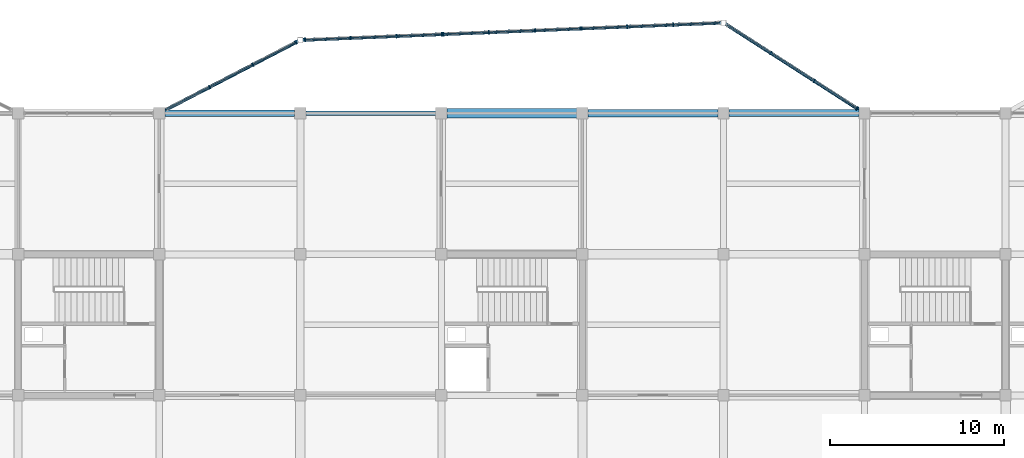
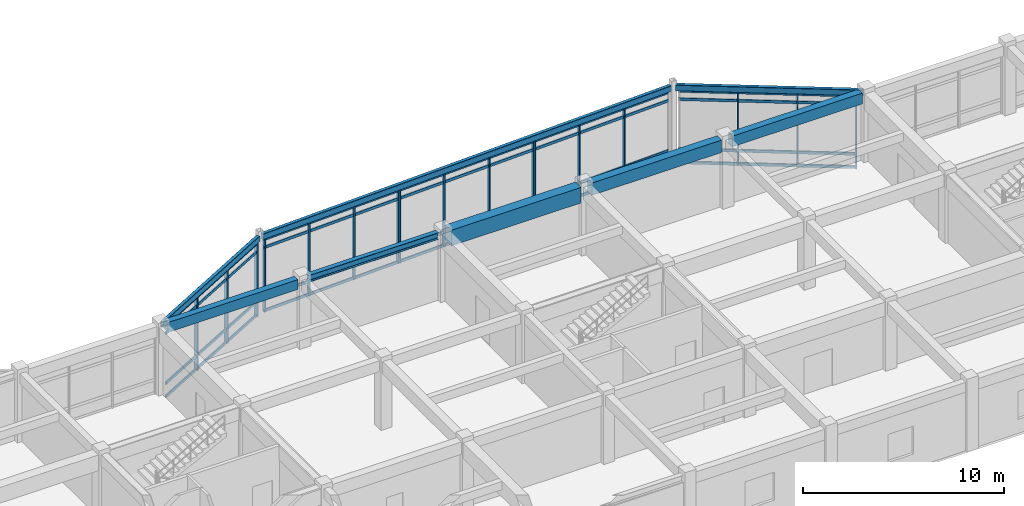
# One storey, part 36 of 70: 37 members, 8 beams, 5 elements without a shape of their own.
"""IFC4 building model written with IfcOpenShell, lengths in metres."""

from ifc_helpers import new_model, si_unit, direction, frame, origin, origin_2d, place, context, subcontext, project, spatial, rectangle, hollow_rectangle, i_section, extrude, material, layer, layer_set, material_profile, profile_set, type_object, element, aggregate, save


model = new_model("IFC4")

# Units and contexts
model_context = context("Model", 3, precision=1e-05, world=origin(), true_north=direction((0.0, 1.0)))
body_context = subcontext(model_context, "Body", "Model", "MODEL_VIEW")
ifc_project = project(units=[si_unit("LENGTHUNIT", "METRE"), si_unit("AREAUNIT", "SQUARE_METRE"), si_unit("VOLUMEUNIT", "CUBIC_METRE"), si_unit("PLANEANGLEUNIT", "RADIAN"), si_unit("MASSUNIT", "GRAM", prefix="KILO")], contexts=[model_context])

# Site, building, storey
site_placement = place(None, origin())
site = spatial("IfcSite", under=ifc_project, at=site_placement, CompositionType="ELEMENT")
building_placement = place(site_placement, origin())
building = spatial("IfcBuilding", under=site, at=building_placement, Name="Vaudrelin Polytechnic", CompositionType="ELEMENT")
storey_placement = place(building_placement, frame((0.0, 0.0, 14.110107421875)))
storey = spatial("IfcBuildingStorey", under=building, at=storey_placement, Name="L03", CompositionType="ELEMENT", Elevation=14.110107421875)

# Beams
ifc_material_1 = material(Name="Concrete 40 MPa", Category="concrete")
ifc_material_profile_1 = material_profile(ifc_material_1, rectangle(XDim=0.35009765625, YDim=0.60009765625, at=origin_2d()), Name="RC350x600")
ifc_profile_set_1 = profile_set([ifc_material_profile_1], Name="Concrete 40 MPa")
beam_type_1 = type_object("IfcBeamType", Name="BM-BM-RC3560", PredefinedType="BEAM", material=ifc_profile_set_1)
beam_1_placement = place(storey_placement, frame((65.12109375, 121.5, 3.85986328125), z_axis=(1.0, 0.0, 0.0), x_axis=(0.0, 1.0, 0.0)))
element("IfcBeam", 1, at=beam_1_placement, inside=storey, type_object=beam_type_1, Name="L03 X-beam 9-16", PredefinedType="BEAM", context=body_context, shape_type="SweptSolid", body=[
    extrude(rectangle(XDim=0.35009765625, YDim=0.60009765625, at=origin_2d()), origin(), (0.0, 0.0, 1.0), 7.4580078125),
])
ifc_material_profile_2 = material_profile(ifc_material_1, rectangle(XDim=0.449951171875, YDim=0.75, at=origin_2d()), Name="RC450x750")
ifc_profile_set_2 = profile_set([ifc_material_profile_2], Name="Concrete 40 MPa")
beam_type_2 = type_object("IfcBeamType", Name="BM-BM-RC4575", PredefinedType="BEAM", material=ifc_profile_set_2)
beam_2_placement = place(storey_placement, frame((89.4208984375, 121.5, 3.77490234375), z_axis=(1.0, 0.0, 0.0), x_axis=(0.0, 1.0, 0.0)))
element("IfcBeam", 2, at=beam_2_placement, inside=storey, type_object=beam_type_2, Name="L03 X-beam 12-16", PredefinedType="BEAM", context=body_context, shape_type="SweptSolid", body=[
    extrude(rectangle(XDim=0.449951171875, YDim=0.75, at=origin_2d()), origin(), (0.0, 0.0, 1.0), 7.4580078125),
])
ifc_material_2 = material(Name="Concrete 50 MPa", Category="concrete")
ifc_material_profile_3 = material_profile(ifc_material_2, rectangle(XDim=0.550048828125, YDim=0.949951171875, at=origin_2d()), Name="RC550x950")
ifc_profile_set_3 = profile_set([ifc_material_profile_3], Name="Concrete 50 MPa")
beam_type_3 = type_object("IfcBeamType", Name="BM-BM-RC5595", PredefinedType="BEAM", material=ifc_profile_set_3)
beam_3_placement = place(storey_placement, frame((81.321044921875, 121.5, 3.6748046875), z_axis=(1.0, 0.0, 0.0), x_axis=(0.0, 1.0, 0.0)))
element("IfcBeam", 3, at=beam_3_placement, inside=storey, type_object=beam_type_3, Name="L03 X-beam 11-16", PredefinedType="BEAM", context=body_context, shape_type="SweptSolid", body=[
    extrude(rectangle(XDim=0.550048828125, YDim=0.949951171875, at=origin_2d()), origin(), (0.0, 0.0, 1.0), 7.4580078125),
])
ifc_material_3 = material(Name="Steel CSA G40.21 350WT", Category="steel")
ifc_material_profile_4 = material_profile(ifc_material_3, i_section(OverallWidth=0.260009765625, OverallDepth=0.4150390625, WebThickness=0.010009765625, FlangeThickness=0.016845703125, FilletRadius=0.01611328125, at=origin_2d()), Name="W410x100")
ifc_profile_set_4 = profile_set([ifc_material_profile_4], Name="Steel CSA G40.21 350WT")
beam_type_4 = type_object("IfcBeamType", Name="BM-BM-W410H", PredefinedType="SPANDREL", material=ifc_profile_set_4)
beam_4_placement = place(storey_placement, frame((73.220947265625, 121.5, 3.9423828125), z_axis=(1.0, 0.0, 0.0), x_axis=(0.0, 1.0, 0.0)))
element("IfcBeam", 4, at=beam_4_placement, inside=storey, type_object=beam_type_4, Name="L03 X-beam 10-16", PredefinedType="SPANDREL", context=body_context, shape_type="SweptSolid", body=[
    extrude(i_section(OverallWidth=0.260009765625, OverallDepth=0.4150390625, WebThickness=0.010009765625, FlangeThickness=0.016845703125, FilletRadius=0.01611328125, at=origin_2d()), origin(), (0.0, 0.0, 1.0), 7.4580078125),
])
ifc_material_profile_5 = material_profile(ifc_material_3, hollow_rectangle(XDim=0.202880859375, YDim=0.35595703125, WallThickness=0.0126953125, InnerFilletRadius=0.0126953125, OuterFilletRadius=0.025390625, at=origin_2d()), Name="HSS356x203x12.7")
ifc_profile_set_5 = profile_set([ifc_material_profile_5], Name="Steel CSA G40.21 350WT")
beam_type_5 = type_object("IfcBeamType", Name="BM-SP-HSS35", PredefinedType="SPANDREL", material=ifc_profile_set_5)
beam_5_placement = place(storey_placement, frame((64.92431640625, 121.564453125, 3.98193359375), z_axis=(0.887754949257, 0.460316358682, 0.0), x_axis=(-0.460316358682, 0.887754949257, 0.0)))
element("IfcBeam", 5, at=beam_5_placement, inside=storey, type_object=beam_type_5, Name="Sculptural edge beam L03 N_OR2_B1", PredefinedType="SPANDREL", context=body_context, shape_type="SweptSolid", body=[
    extrude(hollow_rectangle(XDim=0.202880859375, YDim=0.35595703125, WallThickness=0.0126953125, InnerFilletRadius=0.0126953125, OuterFilletRadius=0.025390625, at=origin_2d()), origin(), (0.0, 0.0, 1.0), 8.843994140625),
])
beam_6_placement = place(storey_placement, frame((73.039794921875, 125.705810546875, 3.98193359375), z_axis=(0.99915467323, 0.0411088672, 0.0), x_axis=(-0.0411088672, 0.99915467323, 0.0)))
element("IfcBeam", 6, at=beam_6_placement, inside=storey, type_object=beam_type_5, Name="Sculptural edge beam L03 N_OR2_B2", PredefinedType="SPANDREL", context=body_context, shape_type="SweptSolid", body=[
    extrude(hollow_rectangle(XDim=0.202880859375, YDim=0.35595703125, WallThickness=0.0126953125, InnerFilletRadius=0.0126953125, OuterFilletRadius=0.025390625, at=origin_2d()), origin(), (0.0, 0.0, 1.0), 24.04052734375),
])
beam_7_placement = place(storey_placement, frame((97.31787109375, 126.62451171875, 3.98193359375), z_axis=(0.84150765207, -0.540245195729, 0.0), x_axis=(0.540245195729, 0.84150765207, 0.0)))
element("IfcBeam", 7, at=beam_7_placement, inside=storey, type_object=beam_type_5, Name="Sculptural edge beam L03 N_OR2_B3", PredefinedType="SPANDREL", context=body_context, shape_type="SweptSolid", body=[
    extrude(hollow_rectangle(XDim=0.202880859375, YDim=0.35595703125, WallThickness=0.0126953125, InnerFilletRadius=0.0126953125, OuterFilletRadius=0.025390625, at=origin_2d()), origin(), (0.0, 0.0, 1.0), 9.345458984375),
])
ifc_material_profile_6 = material_profile(ifc_material_1, rectangle(XDim=0.39990234375, YDim=0.64990234375, at=origin_2d()), Name="RC400x650")
ifc_profile_set_6 = profile_set([ifc_material_profile_6], Name="Concrete 40 MPa")
beam_type_6 = type_object("IfcBeamType", Name="BM-SP-RC4065", PredefinedType="SPANDREL", material=ifc_profile_set_6)
beam_8_placement = place(storey_placement, frame((97.52099609375, 121.5, 3.824951171875), z_axis=(1.0, 0.0, 0.0), x_axis=(0.0, 1.0, 0.0)))
element("IfcBeam", 8, at=beam_8_placement, inside=storey, type_object=beam_type_6, Name="L03 X-beam 13-16", PredefinedType="SPANDREL", context=body_context, shape_type="SweptSolid", body=[
    extrude(rectangle(XDim=0.39990234375, YDim=0.64990234375, at=origin_2d()), origin(), (0.0, 0.0, 1.0), 7.4580078125),
])

# Curtain wall, members
ifc_material_4 = material(Name="Thermally broken anodised aluminium AA 6063-T6 and low-e triple glazing", Category="aluminium")
ifc_layer = layer(ifc_material_4, 0.199951171875)
ifc_layer_set = layer_set([ifc_layer], Name="Thermally broken anodised aluminium AA 6063-T6 and low-e triple glazing")
curtain_wall_type = type_object("IfcCurtainWallType", Name="CW-CW-STU", PredefinedType="USERDEFINED", material=ifc_layer_set)
curtain_wall_1_placement = place(storey_placement, origin())
curtain_wall_1 = element("IfcCurtainWall", 9, at=curtain_wall_1_placement, inside=storey, type_object=curtain_wall_type, Name="Curtain wall L03 N_OR2_1_0", ObjectType="CURTAIN WALL", PredefinedType="USERDEFINED")
ifc_material_5 = material(Name="Anodised aluminium AA 6063-T6", Category="aluminium")
ifc_material_profile_7 = material_profile(ifc_material_5, rectangle(XDim=0.074951171875, YDim=0.219970703125, at=origin_2d()), Name="CWM-75x220")
ifc_profile_set_7 = profile_set([ifc_material_profile_7], Name="Anodised aluminium AA 6063-T6")
member_type_1 = type_object("IfcMemberType", Name="MEM-CWM-220", PredefinedType="MULLION", material=ifc_profile_set_7)
member_1_placement = place(storey_placement, frame((67.69091796875, 122.9990234375, -0.630126953125), z_axis=(0.0, 0.0, 1.0), x_axis=(0.88775021542, 0.460325488129, 0.0)))
member_1 = element("IfcMember", 10, at=member_1_placement, type_object=member_type_1, Name="N_OR2_1_0 mullion 2", PredefinedType="MULLION", context=body_context, shape_type="SweptSolid", body=[
    extrude(rectangle(XDim=0.074951171875, YDim=0.219970703125, at=origin_2d()), origin(), (0.0, 0.0, 1.0), 4.43994140625),
])
member_2_placement = place(storey_placement, frame((70.181396484375, 124.290283203125, -0.630126953125), z_axis=(0.0, 0.0, 1.0), x_axis=(0.88775021542, 0.460325488129, 0.0)))
member_2 = element("IfcMember", 11, at=member_2_placement, type_object=member_type_1, Name="N_OR2_1_0 mullion 3", PredefinedType="MULLION", context=body_context, shape_type="SweptSolid", body=[
    extrude(rectangle(XDim=0.074951171875, YDim=0.219970703125, at=origin_2d()), origin(), (0.0, 0.0, 1.0), 4.43994140625),
])
member_3_placement = place(storey_placement, frame((72.636474609375, 125.5634765625, -0.630126953125), z_axis=(0.0, 0.0, 1.0), x_axis=(0.88775021542, 0.460325488129, 0.0)))
member_3 = element("IfcMember", 12, at=member_3_placement, type_object=member_type_1, Name="N_OR2_1_0 mullion 4", PredefinedType="MULLION", context=body_context, shape_type="SweptSolid", body=[
    extrude(rectangle(XDim=0.074951171875, YDim=0.219970703125, at=origin_2d()), origin(), (0.0, 0.0, 1.0), 4.43994140625),
])

curtain_wall_2_placement = place(storey_placement, origin())
curtain_wall_2 = element("IfcCurtainWall", 13, at=curtain_wall_2_placement, inside=storey, type_object=curtain_wall_type, Name="Curtain wall L03 N_OR2_2_0", ObjectType="CURTAIN WALL", PredefinedType="USERDEFINED")
member_4_placement = place(storey_placement, frame((73.177490234375, 125.71142578125, -0.630126953125), z_axis=(0.0, 0.0, 1.0), x_axis=(0.999154417424, 0.041115084128, 0.0)))
member_4 = element("IfcMember", 14, at=member_4_placement, type_object=member_type_1, Name="N_OR2_2_0 mullion 1", PredefinedType="MULLION", context=body_context, shape_type="SweptSolid", body=[
    extrude(rectangle(XDim=0.074951171875, YDim=0.219970703125, at=origin_2d()), origin(), (0.0, 0.0, 1.0), 4.43994140625),
])
member_5_placement = place(storey_placement, frame((75.78466796875, 125.818603515625, -0.630126953125), z_axis=(0.0, 0.0, 1.0), x_axis=(0.999154417424, 0.041115084128, 0.0)))
member_5 = element("IfcMember", 15, at=member_5_placement, type_object=member_type_1, Name="N_OR2_2_0 mullion 2", PredefinedType="MULLION", context=body_context, shape_type="SweptSolid", body=[
    extrude(rectangle(XDim=0.074951171875, YDim=0.219970703125, at=origin_2d()), origin(), (0.0, 0.0, 1.0), 4.43994140625),
])
member_6_placement = place(storey_placement, frame((78.431884765625, 125.927734375, -0.630126953125), z_axis=(0.0, 0.0, 1.0), x_axis=(0.999154417424, 0.041115084128, 0.0)))
member_6 = element("IfcMember", 16, at=member_6_placement, type_object=member_type_1, Name="N_OR2_2_0 mullion 3", PredefinedType="MULLION", context=body_context, shape_type="SweptSolid", body=[
    extrude(rectangle(XDim=0.074951171875, YDim=0.219970703125, at=origin_2d()), origin(), (0.0, 0.0, 1.0), 4.43994140625),
])
member_7_placement = place(storey_placement, frame((81.0390625, 126.034912109375, -0.630126953125), z_axis=(0.0, 0.0, 1.0), x_axis=(0.999154417424, 0.041115084128, 0.0)))
member_7 = element("IfcMember", 17, at=member_7_placement, type_object=member_type_1, Name="N_OR2_2_0 mullion 4", PredefinedType="MULLION", context=body_context, shape_type="SweptSolid", body=[
    extrude(rectangle(XDim=0.074951171875, YDim=0.219970703125, at=origin_2d()), origin(), (0.0, 0.0, 1.0), 4.43994140625),
])

curtain_wall_3_placement = place(storey_placement, origin())
curtain_wall_3 = element("IfcCurtainWall", 18, at=curtain_wall_3_placement, inside=storey, type_object=curtain_wall_type, Name="Curtain wall L03 N_OR2_2_1", ObjectType="CURTAIN WALL", PredefinedType="USERDEFINED")
member_8_placement = place(storey_placement, frame((81.119140625, 126.0380859375, -0.630126953125), z_axis=(0.0, 0.0, 1.0), x_axis=(0.999154438691, 0.041114567302, 0.0)))
member_8 = element("IfcMember", 19, at=member_8_placement, type_object=member_type_1, Name="N_OR2_2_1 mullion 1", PredefinedType="MULLION", context=body_context, shape_type="SweptSolid", body=[
    extrude(rectangle(XDim=0.074951171875, YDim=0.219970703125, at=origin_2d()), origin(), (0.0, 0.0, 1.0), 4.43994140625),
])
member_9_placement = place(storey_placement, frame((83.726318359375, 126.1455078125, -0.630126953125), z_axis=(0.0, 0.0, 1.0), x_axis=(0.999154438691, 0.041114567302, 0.0)))
member_9 = element("IfcMember", 20, at=member_9_placement, type_object=member_type_1, Name="N_OR2_2_1 mullion 2", PredefinedType="MULLION", context=body_context, shape_type="SweptSolid", body=[
    extrude(rectangle(XDim=0.074951171875, YDim=0.219970703125, at=origin_2d()), origin(), (0.0, 0.0, 1.0), 4.43994140625),
])
member_10_placement = place(storey_placement, frame((86.37353515625, 126.25439453125, -0.630126953125), z_axis=(0.0, 0.0, 1.0), x_axis=(0.999154438691, 0.041114567302, 0.0)))
member_10 = element("IfcMember", 21, at=member_10_placement, type_object=member_type_1, Name="N_OR2_2_1 mullion 3", PredefinedType="MULLION", context=body_context, shape_type="SweptSolid", body=[
    extrude(rectangle(XDim=0.074951171875, YDim=0.219970703125, at=origin_2d()), origin(), (0.0, 0.0, 1.0), 4.43994140625),
])
member_11_placement = place(storey_placement, frame((88.98095703125, 126.36181640625, -0.630126953125), z_axis=(0.0, 0.0, 1.0), x_axis=(0.999154438691, 0.041114567302, 0.0)))
member_11 = element("IfcMember", 22, at=member_11_placement, type_object=member_type_1, Name="N_OR2_2_1 mullion 4", PredefinedType="MULLION", context=body_context, shape_type="SweptSolid", body=[
    extrude(rectangle(XDim=0.074951171875, YDim=0.219970703125, at=origin_2d()), origin(), (0.0, 0.0, 1.0), 4.43994140625),
])

curtain_wall_4_placement = place(storey_placement, origin())
curtain_wall_4 = element("IfcCurtainWall", 23, at=curtain_wall_4_placement, inside=storey, type_object=curtain_wall_type, Name="Curtain wall L03 N_OR2_2_2", ObjectType="CURTAIN WALL", PredefinedType="USERDEFINED")
member_12_placement = place(storey_placement, frame((89.060791015625, 126.364990234375, -0.630126953125), z_axis=(0.0, 0.0, 1.0), x_axis=(0.999154417424, 0.041115084128, 0.0)))
member_12 = element("IfcMember", 24, at=member_12_placement, type_object=member_type_1, Name="N_OR2_2_2 mullion 1", PredefinedType="MULLION", context=body_context, shape_type="SweptSolid", body=[
    extrude(rectangle(XDim=0.074951171875, YDim=0.219970703125, at=origin_2d()), origin(), (0.0, 0.0, 1.0), 4.43994140625),
])
member_13_placement = place(storey_placement, frame((91.668212890625, 126.472412109375, -0.630126953125), z_axis=(0.0, 0.0, 1.0), x_axis=(0.999154417424, 0.041115084128, 0.0)))
member_13 = element("IfcMember", 25, at=member_13_placement, type_object=member_type_1, Name="N_OR2_2_2 mullion 2", PredefinedType="MULLION", context=body_context, shape_type="SweptSolid", body=[
    extrude(rectangle(XDim=0.074951171875, YDim=0.219970703125, at=origin_2d()), origin(), (0.0, 0.0, 1.0), 4.43994140625),
])
member_14_placement = place(storey_placement, frame((94.3154296875, 126.581298828125, -0.630126953125), z_axis=(0.0, 0.0, 1.0), x_axis=(0.999154417424, 0.041115084128, 0.0)))
member_14 = element("IfcMember", 26, at=member_14_placement, type_object=member_type_1, Name="N_OR2_2_2 mullion 3", PredefinedType="MULLION", context=body_context, shape_type="SweptSolid", body=[
    extrude(rectangle(XDim=0.074951171875, YDim=0.219970703125, at=origin_2d()), origin(), (0.0, 0.0, 1.0), 4.43994140625),
])

curtain_wall_5_placement = place(storey_placement, origin())
curtain_wall_5 = element("IfcCurtainWall", 27, at=curtain_wall_5_placement, inside=storey, type_object=curtain_wall_type, Name="Curtain wall L03 N_OR2_3_0", ObjectType="CURTAIN WALL", PredefinedType="USERDEFINED")
member_15_placement = place(storey_placement, frame((99.917236328125, 124.955810546875, -0.630126953125), z_axis=(0.0, 0.0, 1.0), x_axis=(0.841518641414, -0.540228077901, 0.0)))
member_15 = element("IfcMember", 28, at=member_15_placement, type_object=member_type_1, Name="N_OR2_3_0 mullion 2", PredefinedType="MULLION", context=body_context, shape_type="SweptSolid", body=[
    extrude(rectangle(XDim=0.074951171875, YDim=0.219970703125, at=origin_2d()), origin(), (0.0, 0.0, 1.0), 4.43994140625),
])
member_16_placement = place(storey_placement, frame((102.410400390625, 123.35498046875, -0.630126953125), z_axis=(0.0, 0.0, 1.0), x_axis=(0.841518641414, -0.540228077901, 0.0)))
member_16 = element("IfcMember", 29, at=member_16_placement, type_object=member_type_1, Name="N_OR2_3_0 mullion 3", PredefinedType="MULLION", context=body_context, shape_type="SweptSolid", body=[
    extrude(rectangle(XDim=0.074951171875, YDim=0.219970703125, at=origin_2d()), origin(), (0.0, 0.0, 1.0), 4.43994140625),
])
member_17_placement = place(storey_placement, frame((104.869873046875, 121.776123046875, -0.630126953125), z_axis=(0.0, 0.0, 1.0), x_axis=(0.841518641414, -0.540228077901, 0.0)))
member_17 = element("IfcMember", 30, at=member_17_placement, type_object=member_type_1, Name="N_OR2_3_0 mullion 4", PredefinedType="MULLION", context=body_context, shape_type="SweptSolid", body=[
    extrude(rectangle(XDim=0.074951171875, YDim=0.219970703125, at=origin_2d()), origin(), (0.0, 0.0, 1.0), 4.43994140625),
])

# Member
ifc_material_profile_8 = material_profile(ifc_material_5, rectangle(XDim=0.074951171875, YDim=0.1650390625, at=origin_2d()), Name="CWT-75x165")
ifc_profile_set_8 = profile_set([ifc_material_profile_8], Name="Anodised aluminium AA 6063-T6")
member_type_2 = type_object("IfcMemberType", Name="MEM-CWT-165", PredefinedType="USERDEFINED", material=ifc_profile_set_8)
member_18_placement = place(storey_placement, frame((65.200439453125, 121.70751953125, -0.580078125), z_axis=(0.887751458182, 0.460323091422, 0.0), x_axis=(-0.460323091422, 0.887751458182, 0.0)))
member_18 = element("IfcMember", 31, at=member_18_placement, type_object=member_type_2, Name="N_OR2_1_0 transom 1", ObjectType="TRANSOM", PredefinedType="USERDEFINED", context=body_context, shape_type="SweptSolid", body=[
    extrude(rectangle(XDim=0.074951171875, YDim=0.1650390625, at=origin_2d()), origin(), (0.0, 0.0, 1.0), 8.41650390625),
])

member_19_placement = place(storey_placement, frame((65.200439453125, 121.70751953125, 0.219970703125), z_axis=(0.887751458182, 0.460323091422, 0.0), x_axis=(-0.460323091422, 0.887751458182, 0.0)))
member_19 = element("IfcMember", 32, at=member_19_placement, type_object=member_type_2, Name="N_OR2_1_0 transom 2", ObjectType="TRANSOM", PredefinedType="USERDEFINED", context=body_context, shape_type="SweptSolid", body=[
    extrude(rectangle(XDim=0.074951171875, YDim=0.1650390625, at=origin_2d()), origin(), (0.0, 0.0, 1.0), 8.41650390625),
])

member_20_placement = place(storey_placement, frame((65.200439453125, 121.70751953125, 3.260009765625), z_axis=(0.887751458182, 0.460323091422, 0.0), x_axis=(-0.460323091422, 0.887751458182, 0.0)))
member_20 = element("IfcMember", 33, at=member_20_placement, type_object=member_type_2, Name="N_OR2_1_0 transom 3", ObjectType="TRANSOM", PredefinedType="USERDEFINED", context=body_context, shape_type="SweptSolid", body=[
    extrude(rectangle(XDim=0.074951171875, YDim=0.1650390625, at=origin_2d()), origin(), (0.0, 0.0, 1.0), 8.41650390625),
])

member_21_placement = place(storey_placement, frame((65.200439453125, 121.70751953125, 3.760009765625), z_axis=(0.887751458182, 0.460323091422, 0.0), x_axis=(-0.460323091422, 0.887751458182, 0.0)))
member_21 = element("IfcMember", 34, at=member_21_placement, type_object=member_type_2, Name="N_OR2_1_0 transom 4", ObjectType="TRANSOM", PredefinedType="USERDEFINED", context=body_context, shape_type="SweptSolid", body=[
    extrude(rectangle(XDim=0.074951171875, YDim=0.1650390625, at=origin_2d()), origin(), (0.0, 0.0, 1.0), 8.41650390625),
])

aggregate(curtain_wall_1, [member_1, member_2, member_3, member_18, member_19, member_20, member_21])

member_22_placement = place(storey_placement, frame((73.137451171875, 125.709716796875, -0.580078125), z_axis=(0.999153867736, 0.041128440127, 0.0), x_axis=(-0.041128440127, 0.999153867736, 0.0)))
member_22 = element("IfcMember", 35, at=member_22_placement, type_object=member_type_2, Name="N_OR2_2_0 transom 1", ObjectType="TRANSOM", PredefinedType="USERDEFINED", context=body_context, shape_type="SweptSolid", body=[
    extrude(rectangle(XDim=0.074951171875, YDim=0.1650390625, at=origin_2d()), origin(), (0.0, 0.0, 1.0), 7.948486328125),
])

member_23_placement = place(storey_placement, frame((73.137451171875, 125.709716796875, 0.219970703125), z_axis=(0.999153867736, 0.041128440127, 0.0), x_axis=(-0.041128440127, 0.999153867736, 0.0)))
member_23 = element("IfcMember", 36, at=member_23_placement, type_object=member_type_2, Name="N_OR2_2_0 transom 2", ObjectType="TRANSOM", PredefinedType="USERDEFINED", context=body_context, shape_type="SweptSolid", body=[
    extrude(rectangle(XDim=0.074951171875, YDim=0.1650390625, at=origin_2d()), origin(), (0.0, 0.0, 1.0), 7.948486328125),
])

member_24_placement = place(storey_placement, frame((73.137451171875, 125.709716796875, 3.260009765625), z_axis=(0.999153867736, 0.041128440127, 0.0), x_axis=(-0.041128440127, 0.999153867736, 0.0)))
member_24 = element("IfcMember", 37, at=member_24_placement, type_object=member_type_2, Name="N_OR2_2_0 transom 3", ObjectType="TRANSOM", PredefinedType="USERDEFINED", context=body_context, shape_type="SweptSolid", body=[
    extrude(rectangle(XDim=0.074951171875, YDim=0.1650390625, at=origin_2d()), origin(), (0.0, 0.0, 1.0), 7.948486328125),
])

member_25_placement = place(storey_placement, frame((73.137451171875, 125.709716796875, 3.760009765625), z_axis=(0.999153867736, 0.041128440127, 0.0), x_axis=(-0.041128440127, 0.999153867736, 0.0)))
member_25 = element("IfcMember", 38, at=member_25_placement, type_object=member_type_2, Name="N_OR2_2_0 transom 4", ObjectType="TRANSOM", PredefinedType="USERDEFINED", context=body_context, shape_type="SweptSolid", body=[
    extrude(rectangle(XDim=0.074951171875, YDim=0.1650390625, at=origin_2d()), origin(), (0.0, 0.0, 1.0), 7.948486328125),
])

aggregate(curtain_wall_2, [member_4, member_5, member_6, member_7, member_22, member_23, member_24, member_25])

member_26_placement = place(storey_placement, frame((81.0791015625, 126.03662109375, -0.580078125), z_axis=(0.999155181369, 0.041096514991, 0.0), x_axis=(-0.041096514991, 0.999155181369, 0.0)))
member_26 = element("IfcMember", 39, at=member_26_placement, type_object=member_type_2, Name="N_OR2_2_1 transom 1", ObjectType="TRANSOM", PredefinedType="USERDEFINED", context=body_context, shape_type="SweptSolid", body=[
    extrude(rectangle(XDim=0.074951171875, YDim=0.1650390625, at=origin_2d()), origin(), (0.0, 0.0, 1.0), 7.94873046875),
])

member_27_placement = place(storey_placement, frame((81.0791015625, 126.03662109375, 0.219970703125), z_axis=(0.999155181369, 0.041096514991, 0.0), x_axis=(-0.041096514991, 0.999155181369, 0.0)))
member_27 = element("IfcMember", 40, at=member_27_placement, type_object=member_type_2, Name="N_OR2_2_1 transom 2", ObjectType="TRANSOM", PredefinedType="USERDEFINED", context=body_context, shape_type="SweptSolid", body=[
    extrude(rectangle(XDim=0.074951171875, YDim=0.1650390625, at=origin_2d()), origin(), (0.0, 0.0, 1.0), 7.94873046875),
])

member_28_placement = place(storey_placement, frame((81.0791015625, 126.03662109375, 3.260009765625), z_axis=(0.999155181369, 0.041096514991, 0.0), x_axis=(-0.041096514991, 0.999155181369, 0.0)))
member_28 = element("IfcMember", 41, at=member_28_placement, type_object=member_type_2, Name="N_OR2_2_1 transom 3", ObjectType="TRANSOM", PredefinedType="USERDEFINED", context=body_context, shape_type="SweptSolid", body=[
    extrude(rectangle(XDim=0.074951171875, YDim=0.1650390625, at=origin_2d()), origin(), (0.0, 0.0, 1.0), 7.94873046875),
])

member_29_placement = place(storey_placement, frame((81.0791015625, 126.03662109375, 3.760009765625), z_axis=(0.999155181369, 0.041096514991, 0.0), x_axis=(-0.041096514991, 0.999155181369, 0.0)))
member_29 = element("IfcMember", 42, at=member_29_placement, type_object=member_type_2, Name="N_OR2_2_1 transom 4", ObjectType="TRANSOM", PredefinedType="USERDEFINED", context=body_context, shape_type="SweptSolid", body=[
    extrude(rectangle(XDim=0.074951171875, YDim=0.1650390625, at=origin_2d()), origin(), (0.0, 0.0, 1.0), 7.94873046875),
])

aggregate(curtain_wall_3, [member_8, member_9, member_10, member_11, member_26, member_27, member_28, member_29])

member_30_placement = place(storey_placement, frame((89.02099609375, 126.36328125, -0.580078125), z_axis=(0.999153867736, 0.041128440127, 0.0), x_axis=(-0.041128440127, 0.999153867736, 0.0)))
member_30 = element("IfcMember", 43, at=member_30_placement, type_object=member_type_2, Name="N_OR2_2_2 transom 1", ObjectType="TRANSOM", PredefinedType="USERDEFINED", context=body_context, shape_type="SweptSolid", body=[
    extrude(rectangle(XDim=0.074951171875, YDim=0.1650390625, at=origin_2d()), origin(), (0.0, 0.0, 1.0), 7.948486328125),
])

member_31_placement = place(storey_placement, frame((89.02099609375, 126.36328125, 0.219970703125), z_axis=(0.999153867736, 0.041128440127, 0.0), x_axis=(-0.041128440127, 0.999153867736, 0.0)))
member_31 = element("IfcMember", 44, at=member_31_placement, type_object=member_type_2, Name="N_OR2_2_2 transom 2", ObjectType="TRANSOM", PredefinedType="USERDEFINED", context=body_context, shape_type="SweptSolid", body=[
    extrude(rectangle(XDim=0.074951171875, YDim=0.1650390625, at=origin_2d()), origin(), (0.0, 0.0, 1.0), 7.948486328125),
])

member_32_placement = place(storey_placement, frame((89.02099609375, 126.36328125, 3.260009765625), z_axis=(0.999153867736, 0.041128440127, 0.0), x_axis=(-0.041128440127, 0.999153867736, 0.0)))
member_32 = element("IfcMember", 45, at=member_32_placement, type_object=member_type_2, Name="N_OR2_2_2 transom 3", ObjectType="TRANSOM", PredefinedType="USERDEFINED", context=body_context, shape_type="SweptSolid", body=[
    extrude(rectangle(XDim=0.074951171875, YDim=0.1650390625, at=origin_2d()), origin(), (0.0, 0.0, 1.0), 7.948486328125),
])

member_33_placement = place(storey_placement, frame((89.02099609375, 126.36328125, 3.760009765625), z_axis=(0.999153867736, 0.041128440127, 0.0), x_axis=(-0.041128440127, 0.999153867736, 0.0)))
member_33 = element("IfcMember", 46, at=member_33_placement, type_object=member_type_2, Name="N_OR2_2_2 transom 4", ObjectType="TRANSOM", PredefinedType="USERDEFINED", context=body_context, shape_type="SweptSolid", body=[
    extrude(rectangle(XDim=0.074951171875, YDim=0.1650390625, at=origin_2d()), origin(), (0.0, 0.0, 1.0), 7.948486328125),
])

aggregate(curtain_wall_4, [member_12, member_13, member_14, member_30, member_31, member_32, member_33])

member_34_placement = place(storey_placement, frame((97.424072265625, 126.55615234375, -0.580078125), z_axis=(0.841522800434, -0.540221599299, 0.0), x_axis=(0.540221599299, 0.841522800434, 0.0)))
member_34 = element("IfcMember", 47, at=member_34_placement, type_object=member_type_2, Name="N_OR2_3_0 transom 1", ObjectType="TRANSOM", PredefinedType="USERDEFINED", context=body_context, shape_type="SweptSolid", body=[
    extrude(rectangle(XDim=0.074951171875, YDim=0.1650390625, at=origin_2d()), origin(), (0.0, 0.0, 1.0), 8.887939453125),
])

member_35_placement = place(storey_placement, frame((97.424072265625, 126.55615234375, 0.219970703125), z_axis=(0.841522800434, -0.540221599299, 0.0), x_axis=(0.540221599299, 0.841522800434, 0.0)))
member_35 = element("IfcMember", 48, at=member_35_placement, type_object=member_type_2, Name="N_OR2_3_0 transom 2", ObjectType="TRANSOM", PredefinedType="USERDEFINED", context=body_context, shape_type="SweptSolid", body=[
    extrude(rectangle(XDim=0.074951171875, YDim=0.1650390625, at=origin_2d()), origin(), (0.0, 0.0, 1.0), 8.887939453125),
])

member_36_placement = place(storey_placement, frame((97.424072265625, 126.55615234375, 3.260009765625), z_axis=(0.841522800434, -0.540221599299, 0.0), x_axis=(0.540221599299, 0.841522800434, 0.0)))
member_36 = element("IfcMember", 49, at=member_36_placement, type_object=member_type_2, Name="N_OR2_3_0 transom 3", ObjectType="TRANSOM", PredefinedType="USERDEFINED", context=body_context, shape_type="SweptSolid", body=[
    extrude(rectangle(XDim=0.074951171875, YDim=0.1650390625, at=origin_2d()), origin(), (0.0, 0.0, 1.0), 8.887939453125),
])

member_37_placement = place(storey_placement, frame((97.424072265625, 126.55615234375, 3.760009765625), z_axis=(0.841522800434, -0.540221599299, 0.0), x_axis=(0.540221599299, 0.841522800434, 0.0)))
member_37 = element("IfcMember", 50, at=member_37_placement, type_object=member_type_2, Name="N_OR2_3_0 transom 4", ObjectType="TRANSOM", PredefinedType="USERDEFINED", context=body_context, shape_type="SweptSolid", body=[
    extrude(rectangle(XDim=0.074951171875, YDim=0.1650390625, at=origin_2d()), origin(), (0.0, 0.0, 1.0), 8.887939453125),
])

aggregate(curtain_wall_5, [member_15, member_16, member_17, member_34, member_35, member_36, member_37])

save(model, "model.ifc")
